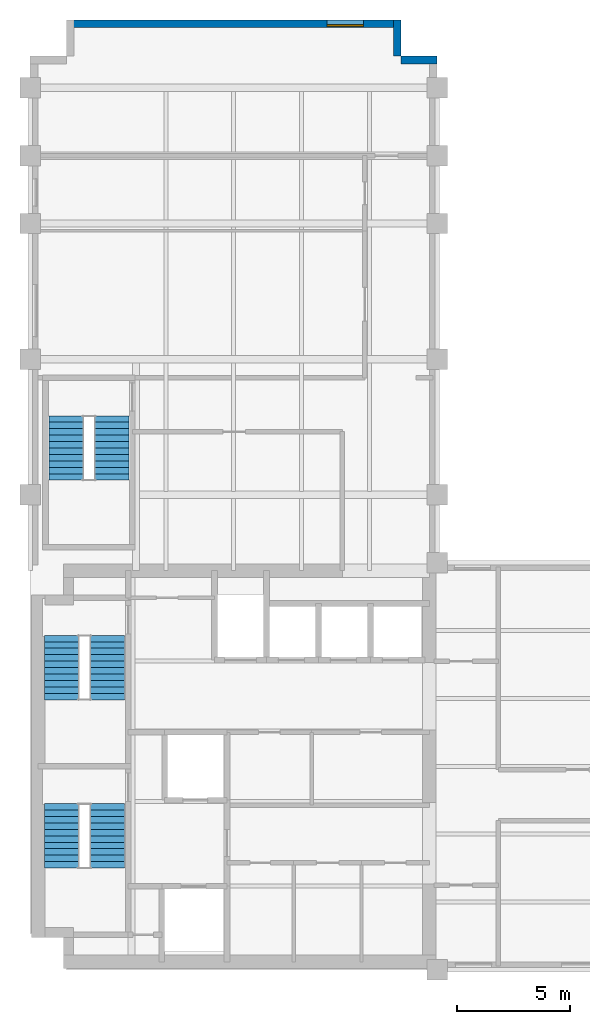
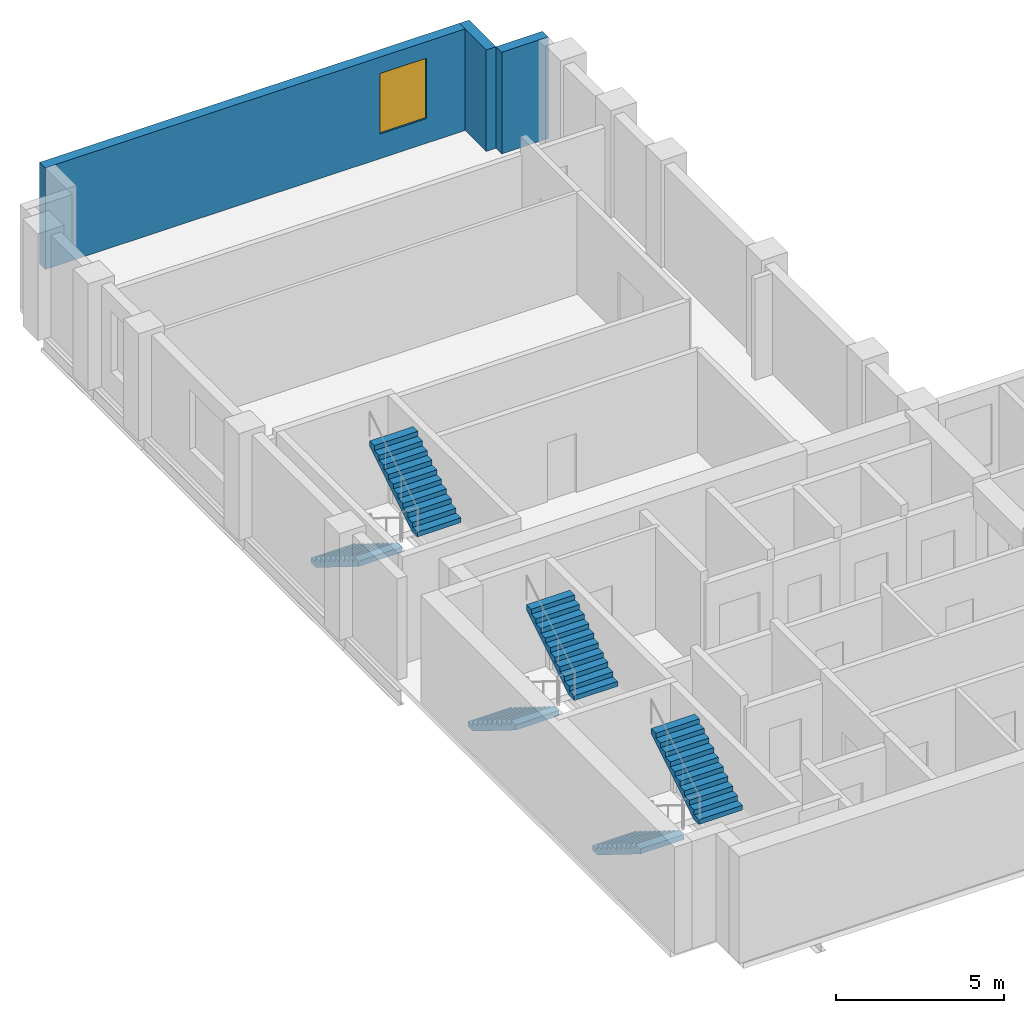
# One storey, part 5 of 6: 6 stair flights, 3 walls, 1 window, 1 opening, 3 elements without a shape of their own.
"""IFC4 building model written with IfcOpenShell, lengths in metres."""

from ifc_helpers import new_model, si_unit, direction, frame, frame_2d, origin, place, context, subcontext, project, spatial, polyline, rectangle, outline, extrude, material, layer, layer_set, type_object, element, fill, aggregate, save


model = new_model("IFC4")

# Units and contexts
model_context = context("Model", 3, precision=1e-05, world=origin(), true_north=direction((0.0, 1.0)))
body_context = subcontext(model_context, "Body", "Model", "MODEL_VIEW")
ifc_project = project(units=[si_unit("LENGTHUNIT", "METRE"), si_unit("AREAUNIT", "SQUARE_METRE"), si_unit("VOLUMEUNIT", "CUBIC_METRE"), si_unit("PLANEANGLEUNIT", "RADIAN"), si_unit("MASSUNIT", "GRAM", prefix="KILO")], contexts=[model_context])

# Site, building, storey
site_placement = place(None, origin())
site = spatial("IfcSite", under=ifc_project, at=site_placement, CompositionType="ELEMENT")
building_placement = place(site_placement, origin())
building = spatial("IfcBuilding", under=site, at=building_placement, Name="Mawjdan Bourse Tower", CompositionType="ELEMENT")
storey_placement = place(building_placement, frame((0.0, 0.0, 176.10009765625)))
storey = spatial("IfcBuildingStorey", under=building, at=storey_placement, Name="L42", CompositionType="ELEMENT", Elevation=176.10009765625)

# Walls
ifc_material_1 = material(Name="Brick Masonry Buff", Category="masonry")
ifc_layer = layer(ifc_material_1, 0.340087890625)
ifc_layer_set = layer_set([ifc_layer], Name="Brick Masonry Buff")
wall_type = type_object("IfcWallType", Name="WL-BRK-SPN-340", PredefinedType="STANDARD", material=ifc_layer_set)
for number, where, z_axis, x_axis, name in (
    (1, (24.0, 43.22998046875, 0.0), (0.0, 0.0, 1.0), (-1.0, 0.0, 0.0), "L42 Exterior Brick Wall 9"),
    (2, (22.22998046875, 43.39990234375, 0.0), (0.0, 0.0, 1.0), (0.0, 1.0, 0.0), "L42 Exterior Brick Wall 10"),
):
    element("IfcWall", number, at=place(storey_placement, frame(where, z_axis=z_axis, x_axis=x_axis)), inside=storey, type_object=wall_type, Name=name, PredefinedType="STANDARD", context=body_context, shape_type="SweptSolid", body=[
        extrude(rectangle(XDim=1.60009765625, YDim=0.340087890625, at=frame_2d((0.800048828125, 0.0))), origin(), (0.0, 0.0, 1.0), 3.699951171875),
    ])

# Wall, opening, window
wall_placement = place(storey_placement, frame((22.39990234375, 44.830078125, 0.0), z_axis=(0.0, 0.0, 1.0), x_axis=(-1.0, 0.0, 0.0)))
wall = element("IfcWall", 3, at=wall_placement, inside=storey, type_object=wall_type, Name="L42 Exterior Brick Wall 11", PredefinedType="STANDARD", context=body_context, shape_type="SweptSolid", body=[
    extrude(rectangle(XDim=14.7998046875, YDim=0.340087890625, at=frame_2d((7.39990234375, 0.0))), origin(), (0.0, 0.0, 1.0), 3.699951171875),
])
opening_placement = place(wall_placement, frame((1.666748046875, 0.0, 0.89990234375)))
opening = element("IfcOpeningElement", 4, at=opening_placement, cuts=wall, Name="Opening W-L42-07", PredefinedType="OPENING", context=body_context, shape_type="SweptSolid", body=[
    extrude(rectangle(XDim=1.60009765625, YDim=2.199951171875, at=frame_2d((0.800048828125, 1.10009765625))), frame((0.0, 0.18017578125, 0.0), z_axis=(0.0, -1.0, 0.0), x_axis=(1.0, 0.0, 0.0)), (0.0, 0.0, 1.0), 0.360107421875),
])
ifc_material_2 = material(Name="Solar-Control Clear Double Glazing", Category="glass")
window_type = type_object("IfcWindowType", Name="WN-Z3-1600", PartitioningType="SINGLE_PANEL", PredefinedType="WINDOW", material=ifc_material_2)
window_placement = place(opening_placement, origin())
window = element("IfcWindow", 5, at=window_placement, inside=storey, type_object=window_type, Name="L42 Deep-Set Masonry Window W-L42-07", OverallHeight=2.199951171875, OverallWidth=1.60009765625, PartitioningType="SINGLE_PANEL", PredefinedType="WINDOW", context=body_context, shape_type="SweptSolid", body=[
    extrude(rectangle(XDim=1.60009765625, YDim=2.199951171875, at=frame_2d((0.800048828125, 1.10009765625))), frame((0.0, 0.110107421875, 0.0), z_axis=(0.0, -1.0, 0.0), x_axis=(1.0, 0.0, 0.0)), (0.0, 0.0, 1.0), 0.06005859375),
])
fill(opening, window)

# Stair, stair flights
ifc_material_3 = material(Name="Concrete C50/60", Category="concrete")
stair_type = type_object("IfcStairType", Name="STR-CORE-1500", PredefinedType="HALF_TURN_STAIR", material=ifc_material_3)
stair_1_placement = place(storey_placement, origin())
stair_1 = element("IfcStair", 6, at=stair_1_placement, inside=storey, type_object=stair_type, Name="L42 Exit Stair 1 (Core South-West)", PredefinedType="HALF_TURN_STAIR")
stair_flight_type = type_object("IfcStairFlightType", Name="SFL-RC-1500", PredefinedType="STRAIGHT", material=ifc_material_3)
stair_flight_1_placement = place(storey_placement, frame((7.389892578125, 10.35009765625, 0.0), z_axis=(0.0, 0.0, 1.0), x_axis=(0.0, -1.0, 0.0)))
stair_flight_1 = element("IfcStairFlight", 7, at=stair_flight_1_placement, type_object=stair_flight_type, Name="ST1-L42 flight 1", NumberOfRisers=11, NumberOfTreads=10, PredefinedType="STRAIGHT", RiserHeight=0.177273, TreadLength=0.285, context=body_context, shape_type="SweptSolid", body=[
    extrude(outline(polyline([(0.0, 0.0), (0.0, 0.17724609375), (0.284912109375, 0.17724609375), (0.284912109375, 0.3544921875), (0.570068359375, 0.3544921875), (0.570068359375, 0.53173828125), (0.85498046875, 0.53173828125), (0.85498046875, 0.708984375), (1.139892578125, 0.708984375), (1.139892578125, 0.886474609375), (1.425048828125, 0.886474609375), (1.425048828125, 1.063720703125), (1.7099609375, 1.063720703125), (1.7099609375, 1.240966796875), (1.9951171875, 1.240966796875), (1.9951171875, 1.418212890625), (2.280029296875, 1.418212890625), (2.280029296875, 1.595458984375), (2.56494140625, 1.595458984375), (2.56494140625, 1.772705078125), (2.85009765625, 1.772705078125), (2.85009765625, 1.949951171875), (2.85009765625, 1.58447265625), (0.302734375, 0.0), (0.0, 0.0)])), frame((0.0, 0.75, 0.0), z_axis=(0.0, -1.0, 0.0), x_axis=(1.0, 0.0, 0.0)), (0.0, 0.0, 1.0), 1.5),
])
stair_flight_2_placement = place(storey_placement, frame((9.409912109375, 7.5, 1.949951171875), z_axis=(0.0, 0.0, 1.0), x_axis=(0.0, 1.0, 0.0)))
stair_flight_2 = element("IfcStairFlight", 8, at=stair_flight_2_placement, type_object=stair_flight_type, Name="ST1-L42 flight 2", NumberOfRisers=11, NumberOfTreads=10, PredefinedType="STRAIGHT", RiserHeight=0.177273, TreadLength=0.285, context=body_context, shape_type="SweptSolid", body=[
    extrude(outline(polyline([(0.0, 0.0), (0.0, 0.17724609375), (0.284912109375, 0.17724609375), (0.284912109375, 0.3544921875), (0.570068359375, 0.3544921875), (0.570068359375, 0.53173828125), (0.85498046875, 0.53173828125), (0.85498046875, 0.708984375), (1.139892578125, 0.708984375), (1.139892578125, 0.886474609375), (1.425048828125, 0.886474609375), (1.425048828125, 1.063720703125), (1.7099609375, 1.063720703125), (1.7099609375, 1.240966796875), (1.9951171875, 1.240966796875), (1.9951171875, 1.418212890625), (2.280029296875, 1.418212890625), (2.280029296875, 1.595458984375), (2.56494140625, 1.595458984375), (2.56494140625, 1.772705078125), (2.85009765625, 1.772705078125), (2.85009765625, 1.949951171875), (2.85009765625, 1.58447265625), (0.302734375, 0.0), (0.0, 0.0)])), frame((0.0, 0.75, 0.0), z_axis=(0.0, -1.0, 0.0), x_axis=(1.0, 0.0, 0.0)), (0.0, 0.0, 1.0), 1.5),
])
aggregate(stair_1, [stair_flight_1, stair_flight_2])

stair_2_placement = place(storey_placement, origin())
stair_2 = element("IfcStair", 9, at=stair_2_placement, inside=storey, type_object=stair_type, Name="L42 Exit Stair 2 (Core North-West)", PredefinedType="HALF_TURN_STAIR")
stair_flight_3_placement = place(storey_placement, frame((7.389892578125, 17.7900390625, 0.0), z_axis=(0.0, 0.0, 1.0), x_axis=(0.0, -1.0, 0.0)))
stair_flight_3 = element("IfcStairFlight", 10, at=stair_flight_3_placement, type_object=stair_flight_type, Name="ST2-L42 flight 1", NumberOfRisers=11, NumberOfTreads=10, PredefinedType="STRAIGHT", RiserHeight=0.177273, TreadLength=0.285, context=body_context, shape_type="SweptSolid", body=[
    extrude(outline(polyline([(0.0, 0.0), (0.0, 0.17724609375), (0.284912109375, 0.17724609375), (0.284912109375, 0.3544921875), (0.570068359375, 0.3544921875), (0.570068359375, 0.53173828125), (0.85498046875, 0.53173828125), (0.85498046875, 0.708984375), (1.139892578125, 0.708984375), (1.139892578125, 0.886474609375), (1.425048828125, 0.886474609375), (1.425048828125, 1.063720703125), (1.7099609375, 1.063720703125), (1.7099609375, 1.240966796875), (1.9951171875, 1.240966796875), (1.9951171875, 1.418212890625), (2.280029296875, 1.418212890625), (2.280029296875, 1.595458984375), (2.56494140625, 1.595458984375), (2.56494140625, 1.772705078125), (2.85009765625, 1.772705078125), (2.85009765625, 1.949951171875), (2.85009765625, 1.58447265625), (0.302734375, 0.0), (0.0, 0.0)])), frame((0.0, 0.75, 0.0), z_axis=(0.0, -1.0, 0.0), x_axis=(1.0, 0.0, 0.0)), (0.0, 0.0, 1.0), 1.5),
])
stair_flight_4_placement = place(storey_placement, frame((9.409912109375, 14.93994140625, 1.949951171875), z_axis=(0.0, 0.0, 1.0), x_axis=(0.0, 1.0, 0.0)))
stair_flight_4 = element("IfcStairFlight", 11, at=stair_flight_4_placement, type_object=stair_flight_type, Name="ST2-L42 flight 2", NumberOfRisers=11, NumberOfTreads=10, PredefinedType="STRAIGHT", RiserHeight=0.177273, TreadLength=0.285, context=body_context, shape_type="SweptSolid", body=[
    extrude(outline(polyline([(0.0, 0.0), (0.0, 0.17724609375), (0.284912109375, 0.17724609375), (0.284912109375, 0.3544921875), (0.570068359375, 0.3544921875), (0.570068359375, 0.53173828125), (0.85498046875, 0.53173828125), (0.85498046875, 0.708984375), (1.139892578125, 0.708984375), (1.139892578125, 0.886474609375), (1.425048828125, 0.886474609375), (1.425048828125, 1.063720703125), (1.7099609375, 1.063720703125), (1.7099609375, 1.240966796875), (1.9951171875, 1.240966796875), (1.9951171875, 1.418212890625), (2.280029296875, 1.418212890625), (2.280029296875, 1.595458984375), (2.56494140625, 1.595458984375), (2.56494140625, 1.772705078125), (2.85009765625, 1.772705078125), (2.85009765625, 1.949951171875), (2.85009765625, 1.58447265625), (0.302734375, 0.0), (0.0, 0.0)])), frame((0.0, 0.75, 0.0), z_axis=(0.0, -1.0, 0.0), x_axis=(1.0, 0.0, 0.0)), (0.0, 0.0, 1.0), 1.5),
])
aggregate(stair_2, [stair_flight_3, stair_flight_4])

stair_3_placement = place(storey_placement, origin())
stair_3 = element("IfcStair", 12, at=stair_3_placement, inside=storey, type_object=stair_type, Name="L42 Exit Stair 3 (North Wing)", PredefinedType="HALF_TURN_STAIR")
stair_flight_5_placement = place(storey_placement, frame((7.590087890625, 27.5, 0.0), z_axis=(0.0, 0.0, 1.0), x_axis=(0.0, -1.0, 0.0)))
stair_flight_5 = element("IfcStairFlight", 13, at=stair_flight_5_placement, type_object=stair_flight_type, Name="ST3-L42 flight 1", NumberOfRisers=11, NumberOfTreads=10, PredefinedType="STRAIGHT", RiserHeight=0.177273, TreadLength=0.285, context=body_context, shape_type="SweptSolid", body=[
    extrude(outline(polyline([(0.0, 0.0), (0.0, 0.17724609375), (0.284912109375, 0.17724609375), (0.284912109375, 0.3544921875), (0.570068359375, 0.3544921875), (0.570068359375, 0.53173828125), (0.85498046875, 0.53173828125), (0.85498046875, 0.708984375), (1.139892578125, 0.708984375), (1.139892578125, 0.886474609375), (1.425048828125, 0.886474609375), (1.425048828125, 1.063720703125), (1.7099609375, 1.063720703125), (1.7099609375, 1.240966796875), (1.9951171875, 1.240966796875), (1.9951171875, 1.418212890625), (2.280029296875, 1.418212890625), (2.280029296875, 1.595458984375), (2.56494140625, 1.595458984375), (2.56494140625, 1.772705078125), (2.85009765625, 1.772705078125), (2.85009765625, 1.949951171875), (2.85009765625, 1.58447265625), (0.302734375, 0.0), (0.0, 0.0)])), frame((0.0, 0.75, 0.0), z_axis=(0.0, -1.0, 0.0), x_axis=(1.0, 0.0, 0.0)), (0.0, 0.0, 1.0), 1.5),
])
stair_flight_6_placement = place(storey_placement, frame((9.610107421875, 24.64990234375, 1.949951171875), z_axis=(0.0, 0.0, 1.0), x_axis=(0.0, 1.0, 0.0)))
stair_flight_6 = element("IfcStairFlight", 14, at=stair_flight_6_placement, type_object=stair_flight_type, Name="ST3-L42 flight 2", NumberOfRisers=11, NumberOfTreads=10, PredefinedType="STRAIGHT", RiserHeight=0.177273, TreadLength=0.285, context=body_context, shape_type="SweptSolid", body=[
    extrude(outline(polyline([(0.0, 0.0), (0.0, 0.17724609375), (0.284912109375, 0.17724609375), (0.284912109375, 0.3544921875), (0.570068359375, 0.3544921875), (0.570068359375, 0.53173828125), (0.85498046875, 0.53173828125), (0.85498046875, 0.708984375), (1.139892578125, 0.708984375), (1.139892578125, 0.886474609375), (1.425048828125, 0.886474609375), (1.425048828125, 1.063720703125), (1.7099609375, 1.063720703125), (1.7099609375, 1.240966796875), (1.9951171875, 1.240966796875), (1.9951171875, 1.418212890625), (2.280029296875, 1.418212890625), (2.280029296875, 1.595458984375), (2.56494140625, 1.595458984375), (2.56494140625, 1.772705078125), (2.85009765625, 1.772705078125), (2.85009765625, 1.949951171875), (2.85009765625, 1.58447265625), (0.302734375, 0.0), (0.0, 0.0)])), frame((0.0, 0.75, 0.0), z_axis=(0.0, -1.0, 0.0), x_axis=(1.0, 0.0, 0.0)), (0.0, 0.0, 1.0), 1.5),
])
aggregate(stair_3, [stair_flight_5, stair_flight_6])

save(model, "model.ifc")
